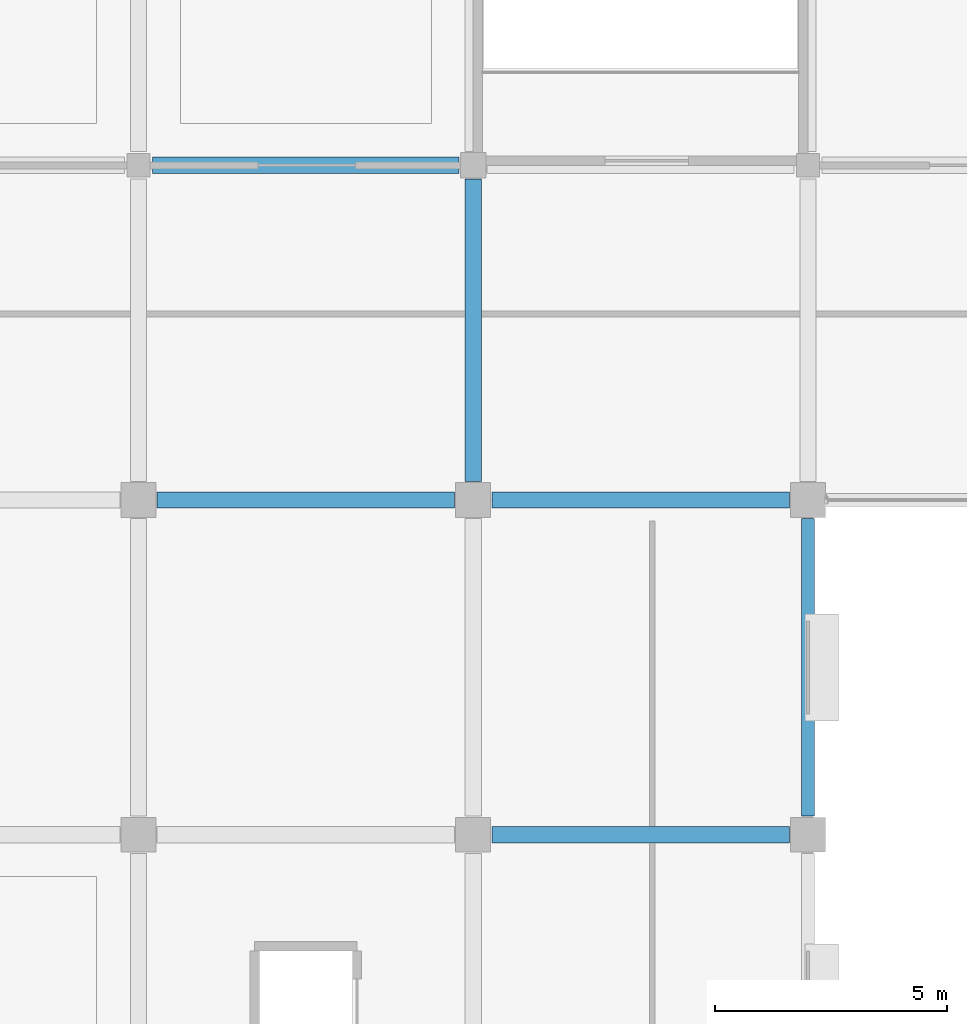
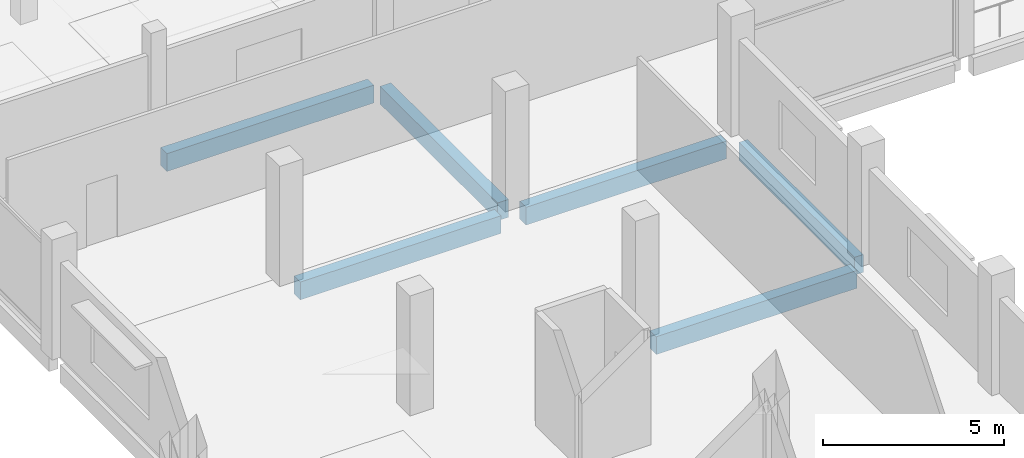
# One storey, part 18 of 91: 6 beams.
"""IFC4 building model written with IfcOpenShell, lengths in metres."""

from ifc_helpers import new_model, si_unit, direction, frame, origin, origin_2d, place, context, subcontext, project, spatial, rectangle, extrude, material, material_profile, profile_set, type_object, element, save


model = new_model("IFC4")

# Units and contexts
model_context = context("Model", 3, precision=1e-05, world=origin(), true_north=direction((0.0, 1.0)))
body_context = subcontext(model_context, "Body", "Model", "MODEL_VIEW")
ifc_project = project(units=[si_unit("LENGTHUNIT", "METRE"), si_unit("AREAUNIT", "SQUARE_METRE"), si_unit("VOLUMEUNIT", "CUBIC_METRE"), si_unit("PLANEANGLEUNIT", "RADIAN"), si_unit("MASSUNIT", "GRAM", prefix="KILO")], contexts=[model_context])

# Site, building, storey
site_placement = place(None, origin())
site = spatial("IfcSite", under=ifc_project, at=site_placement, CompositionType="ELEMENT")
building_placement = place(site_placement, origin())
building = spatial("IfcBuilding", under=site, at=building_placement, Name="Kangsadwip Square Police Headquarters", CompositionType="ELEMENT")
storey_placement = place(building_placement, frame((0.0, 0.0, 13.5)))
storey = spatial("IfcBuildingStorey", under=building, at=storey_placement, Name="L03", CompositionType="ELEMENT", Elevation=13.5)

# Beams
ifc_material_1 = material(Name="Concrete M35 (35 MPa)", Category="concrete")
ifc_material_profile_1 = material_profile(ifc_material_1, rectangle(XDim=0.35009765625, YDim=0.60009765625, at=origin_2d()), Name="RC BM 600X350")
ifc_profile_set_1 = profile_set([ifc_material_profile_1], Name="Concrete M35 (35 MPa)")
beam_type_1 = type_object("IfcBeamType", Name="RcBeam600x350", PredefinedType="BEAM", material=ifc_profile_set_1)
for number, where, z_axis, x_axis, name in (
    (1, (14.800048828125, 86.39990234375, -0.5400390625), (1.0, 0.0, 0.0), (0.0, 1.0, 0.0), "Beam BM-L03-X-02-12"),
    (2, (7.60009765625, 93.60009765625, -0.5400390625), (1.0, 0.0, 0.0), (0.0, 1.0, 0.0), "Beam BM-L03-X-01-13"),
    (3, (14.800048828125, 93.60009765625, -0.5400390625), (1.0, 0.0, 0.0), (0.0, 1.0, 0.0), "Beam BM-L03-X-02-13"),
):
    element("IfcBeam", number, at=place(storey_placement, frame(where, z_axis=z_axis, x_axis=x_axis)), inside=storey, type_object=beam_type_1, Name=name, PredefinedType="BEAM", context=body_context, shape_type="SweptSolid", body=[
        extrude(rectangle(XDim=0.35009765625, YDim=0.60009765625, at=origin_2d()), origin(), (0.0, 0.0, 1.0), 6.39990234375),
    ])
beam_1_placement = place(storey_placement, frame((7.5, 100.800048828125, -0.5400390625), z_axis=(1.0, 0.0, 0.0), x_axis=(0.0, 1.0, 0.0)))
element("IfcBeam", 4, at=beam_1_placement, inside=storey, type_object=beam_type_1, Name="Beam BM-L03-X-01-14", PredefinedType="BEAM", context=body_context, shape_type="SweptSolid", body=[
    extrude(rectangle(XDim=0.35009765625, YDim=0.60009765625, at=origin_2d()), origin(), (0.0, 0.0, 1.0), 6.60009765625),
])
beam_2_placement = place(storey_placement, frame((14.39990234375, 94.0, -0.5400390625), z_axis=(0.0, 1.0, 0.0), x_axis=(-1.0, 0.0, 0.0)))
element("IfcBeam", 5, at=beam_2_placement, inside=storey, type_object=beam_type_1, Name="Beam BM-L03-Y-02-13", PredefinedType="BEAM", context=body_context, shape_type="SweptSolid", body=[
    extrude(rectangle(XDim=0.35009765625, YDim=0.60009765625, at=origin_2d()), origin(), (0.0, 0.0, 1.0), 6.5),
])
ifc_material_2 = material(Name="Concrete M40 (40 MPa)", Category="concrete")
ifc_material_profile_2 = material_profile(ifc_material_2, rectangle(XDim=0.280029296875, YDim=0.60009765625, at=origin_2d()), Name="RC SPN 600X280")
ifc_profile_set_2 = profile_set([ifc_material_profile_2], Name="Concrete M40 (40 MPa)")
beam_type_2 = type_object("IfcBeamType", Name="RcSpandrel600x280", PredefinedType="SPANDREL", material=ifc_profile_set_2)
beam_3_placement = place(storey_placement, frame((21.60009765625, 86.800048828125, -0.5400390625), z_axis=(0.0, 1.0, 0.0), x_axis=(-1.0, 0.0, 0.0)))
element("IfcBeam", 6, at=beam_3_placement, inside=storey, type_object=beam_type_2, Name="Beam BM-L03-Y-03-12", PredefinedType="SPANDREL", context=body_context, shape_type="SweptSolid", body=[
    extrude(rectangle(XDim=0.280029296875, YDim=0.60009765625, at=origin_2d()), origin(), (0.0, 0.0, 1.0), 6.39990234375),
])

save(model, "model.ifc")
